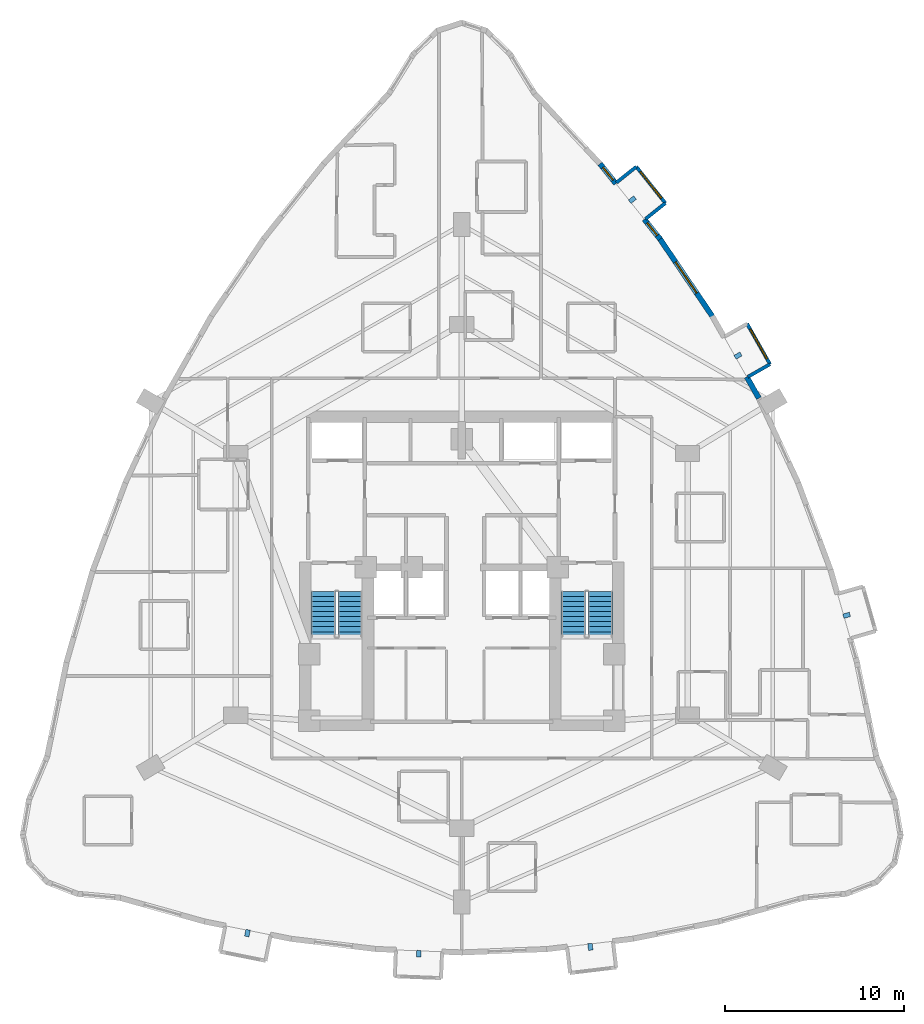
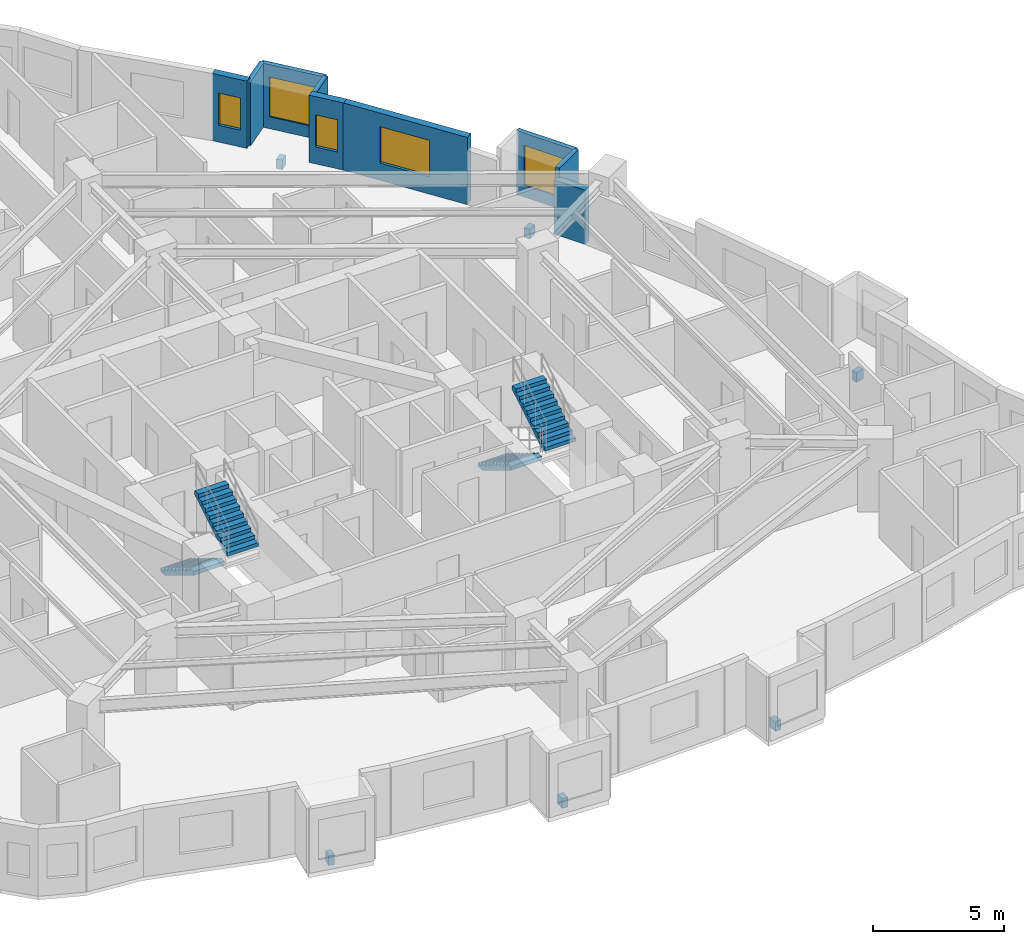
# One storey, part 12 of 13: 9 walls, 6 discrete accessories, 5 windows, 4 stair flights, 5 openings, 2 elements without a shape of their own.
"""IFC4 building model written with IfcOpenShell, lengths in metres."""

from ifc_helpers import new_model, si_unit, direction, frame, frame_2d, origin, origin_2d, place, context, subcontext, project, spatial, polyline, rectangle, outline, extrude, material, layer, layer_set, type_object, element, fill, aggregate, save


model = new_model("IFC4")

# Units and contexts
model_context = context("Model", 3, precision=1e-05, world=origin(), true_north=direction((0.0, 1.0)))
body_context = subcontext(model_context, "Body", "Model", "MODEL_VIEW")
ifc_project = project(units=[si_unit("LENGTHUNIT", "METRE"), si_unit("AREAUNIT", "SQUARE_METRE"), si_unit("VOLUMEUNIT", "CUBIC_METRE"), si_unit("PLANEANGLEUNIT", "RADIAN"), si_unit("MASSUNIT", "GRAM", prefix="KILO")], contexts=[model_context])

# Site, building, storey
site_placement = place(None, origin())
site = spatial("IfcSite", under=ifc_project, at=site_placement, CompositionType="ELEMENT")
building_placement = place(site_placement, origin())
building = spatial("IfcBuilding", under=site, at=building_placement, Name="Miruveldt Soraemaru", CompositionType="ELEMENT")
storey_placement = place(building_placement, frame((0.0, 0.0, 63.199951171875)))
storey = spatial("IfcBuildingStorey", under=building, at=storey_placement, Name="L17", CompositionType="ELEMENT", Elevation=63.199951171875)

# Wall
ifc_material_1 = material(Name="White powder-coated aluminium EN AW-6060 T6", Category="aluminium")
ifc_layer_1 = layer(ifc_material_1, 0.18994140625, Name="White powder-coated aluminium EN AW-6060 T6", Category="aluminium")
ifc_layer_set_1 = layer_set([ifc_layer_1], Name="White powder-coated aluminium EN AW-6060 T6")
wall_type_1 = type_object("IfcWallType", Name="WALL-BAY-ALU190", PredefinedType="SOLIDWALL", material=ifc_layer_set_1)
wall_1_placement = place(storey_placement, frame((59.959716796875, 54.678466796875, 0.0), z_axis=(0.0, 0.0, 1.0), x_axis=(0.869799191674, 0.493405883794, 0.0)))
element("IfcWall", 1, at=wall_1_placement, inside=storey, type_object=wall_type_1, Name="L17 Bay Window Side Cheek 5L", PredefinedType="SOLIDWALL", context=body_context, shape_type="SweptSolid", body=[
    extrude(rectangle(XDim=1.425048828125, YDim=0.18994140625, at=frame_2d((0.71240234375, 0.0))), origin(), (0.0, 0.0, 1.0), 2.97509765625),
])

# Wall, opening, window
wall_2_placement = place(storey_placement, frame((61.19921875, 55.381591796875, 0.0), z_axis=(0.0, 0.0, 1.0), x_axis=(-0.493325260824, 0.869844921255, 0.0)))
wall_2 = element("IfcWall", 2, at=wall_2_placement, inside=storey, type_object=wall_type_1, Name="L17 Bay Window Front Frame 5", PredefinedType="SOLIDWALL", context=body_context, shape_type="SweptSolid", body=[
    extrude(rectangle(XDim=2.60009765625, YDim=0.18994140625, at=frame_2d((1.300048828125, 0.0))), origin(), (0.0, 0.0, 1.0), 2.97509765625),
])
opening_1_placement = place(wall_2_placement, frame((0.35009765625, 0.0, 0.550048828125)))
opening_1 = element("IfcOpeningElement", 3, at=opening_1_placement, cuts=wall_2, Name="Opening WN-6", PredefinedType="OPENING", context=body_context, shape_type="SweptSolid", body=[
    extrude(rectangle(XDim=1.89990234375, YDim=1.85009765625, at=frame_2d((0.949951171875, 0.925048828125))), frame((0.0, 0.10498046875, 0.0), z_axis=(0.0, -1.0, 0.0), x_axis=(1.0, 0.0, 0.0)), (0.0, 0.0, 1.0), 0.2099609375),
])
ifc_material_2 = material(Name="Triple low-e insulated glazing", Category="glass")
window_type_1 = type_object("IfcWindowType", Name="WIN-BAYW-1900x1850", PartitioningType="SINGLE_PANEL", PredefinedType="WINDOW", material=ifc_material_2)
window_1_placement = place(opening_1_placement, origin())
window_1 = element("IfcWindow", 4, at=window_1_placement, inside=storey, type_object=window_type_1, Name="L17 Projecting Bay Window 5", OverallHeight=1.85009765625, OverallWidth=1.89990234375, PartitioningType="SINGLE_PANEL", PredefinedType="WINDOW", context=body_context, shape_type="SweptSolid", body=[
    extrude(rectangle(XDim=1.89990234375, YDim=1.85009765625, at=frame_2d((0.949951171875, 0.925048828125))), frame((0.0, 0.030029296875, 0.0), z_axis=(0.0, -1.0, 0.0), x_axis=(1.0, 0.0, 0.0)), (0.0, 0.0, 1.0), 0.06005859375),
])
fill(opening_1, window_1)

# Walls
for number, where, z_axis, x_axis, name in (
    (5, (54.2451171875, 63.4794921875, 0.0), (0.0, 0.0, 1.0), (0.781737193764, 0.623608017817, 0.0), "L17 Bay Window Side Cheek 6L"),
    (6, (53.737548828125, 66.400634765625, 0.0), (0.0, 0.0, 1.0), (-0.781737193764, -0.623608017817, 0.0), "L17 Bay Window Side Cheek 6R"),
):
    element("IfcWall", number, at=place(storey_placement, frame(where, z_axis=z_axis, x_axis=x_axis)), inside=storey, type_object=wall_type_1, Name=name, PredefinedType="SOLIDWALL", context=body_context, shape_type="SweptSolid", body=[
        extrude(rectangle(XDim=1.425048828125, YDim=0.18994140625, at=frame_2d((0.71240234375, 0.0))), origin(), (0.0, 0.0, 1.0), 2.97509765625),
    ])

# Wall, opening, window
wall_3_placement = place(storey_placement, frame((55.359130859375, 64.3681640625, 0.0), z_axis=(0.0, 0.0, 1.0), x_axis=(-0.623663926583, 0.781692590907, 0.0)))
wall_3 = element("IfcWall", 7, at=wall_3_placement, inside=storey, type_object=wall_type_1, Name="L17 Bay Window Front Frame 6", PredefinedType="SOLIDWALL", context=body_context, shape_type="SweptSolid", body=[
    extrude(rectangle(XDim=2.60009765625, YDim=0.18994140625, at=frame_2d((1.300048828125, 0.0))), origin(), (0.0, 0.0, 1.0), 2.97509765625),
])
opening_2_placement = place(wall_3_placement, frame((0.35009765625, 0.0, 0.550048828125)))
opening_2 = element("IfcOpeningElement", 8, at=opening_2_placement, cuts=wall_3, Name="Opening WN-6", PredefinedType="OPENING", context=body_context, shape_type="SweptSolid", body=[
    extrude(rectangle(XDim=1.89990234375, YDim=1.85009765625, at=frame_2d((0.949951171875, 0.925048828125))), frame((0.0, 0.10498046875, 0.0), z_axis=(0.0, -1.0, 0.0), x_axis=(1.0, 0.0, 0.0)), (0.0, 0.0, 1.0), 0.2099609375),
])
window_2_placement = place(opening_2_placement, origin())
window_2 = element("IfcWindow", 9, at=window_2_placement, inside=storey, type_object=window_type_1, Name="L17 Projecting Bay Window 6", OverallHeight=1.85009765625, OverallWidth=1.89990234375, PartitioningType="SINGLE_PANEL", PredefinedType="WINDOW", context=body_context, shape_type="SweptSolid", body=[
    extrude(rectangle(XDim=1.89990234375, YDim=1.85009765625, at=frame_2d((0.949951171875, 0.925048828125))), frame((0.0, 0.030029296875, 0.0), z_axis=(0.0, -1.0, 0.0), x_axis=(1.0, 0.0, 0.0)), (0.0, 0.0, 1.0), 0.06005859375),
])
fill(opening_2, window_2)

# Wall
ifc_material_3 = material(Name="Precast concrete C45/55 (45 MPa)", Category="concrete")
ifc_layer_2 = layer(ifc_material_3, 0.300048828125, Name="Precast concrete C45/55 (45 MPa)", Category="concrete")
ifc_layer_set_2 = layer_set([ifc_layer_2], Name="Precast concrete C45/55 (45 MPa)")
wall_type_2 = type_object("IfcWallType", Name="WALL-EXT-PC300", PredefinedType="SOLIDWALL", material=ifc_layer_set_2)
wall_4_placement = place(storey_placement, frame((60.57275390625, 53.486572265625, 0.0), z_axis=(0.0, 0.0, 1.0), x_axis=(-0.493390445805, 0.869807948911, 0.0)))
element("IfcWall", 10, at=wall_4_placement, inside=storey, type_object=wall_type_2, Name="L17 Precast Pier Wall 39A", PredefinedType="SOLIDWALL", context=body_context, shape_type="SweptSolid", body=[
    extrude(rectangle(XDim=1.369140625, YDim=0.300048828125, at=frame_2d((0.6845703125, 0.0))), origin(), (0.0, 0.0, 1.0), 2.512939453125),
])

# Wall, opening, window
wall_5_placement = place(storey_placement, frame((58.00537109375, 58.018310546875, 0.0), z_axis=(0.0, 0.0, 1.0), x_axis=(-0.560805458983, 0.827947605332, 0.0)))
wall_5 = element("IfcWall", 11, at=wall_5_placement, inside=storey, type_object=wall_type_2, Name="L17 Precast Concrete Facade Wall 40", PredefinedType="SOLIDWALL", context=body_context, shape_type="SweptSolid", body=[
    extrude(rectangle(XDim=5.3115234375, YDim=0.300048828125, at=frame_2d((2.65576171875, 0.0))), origin(), (0.0, 0.0, 1.0), 3.125),
])
opening_3_placement = place(wall_5_placement, frame((1.60595703125, 0.0, 0.800048828125)))
opening_3 = element("IfcOpeningElement", 12, at=opening_3_placement, cuts=wall_5, Name="Opening WN-1", PredefinedType="OPENING", context=body_context, shape_type="SweptSolid", body=[
    extrude(rectangle(XDim=2.10009765625, YDim=1.699951171875, at=frame_2d((1.050048828125, 0.85009765625))), frame((0.0, 0.16015625, 0.0), z_axis=(0.0, -1.0, 0.0), x_axis=(1.0, 0.0, 0.0)), (0.0, 0.0, 1.0), 0.320068359375),
])
window_type_2 = type_object("IfcWindowType", Name="WIN-PUNCH-2100x1700", PartitioningType="SINGLE_PANEL", PredefinedType="WINDOW", material=ifc_material_2)
window_3_placement = place(opening_3_placement, origin())
window_3 = element("IfcWindow", 13, at=window_3_placement, inside=storey, type_object=window_type_2, Name="L17 Punched Triple-Glazed Window 40.1", OverallHeight=1.699951171875, OverallWidth=2.10009765625, PartitioningType="SINGLE_PANEL", PredefinedType="WINDOW", context=body_context, shape_type="SweptSolid", body=[
    extrude(rectangle(XDim=2.10009765625, YDim=1.699951171875, at=frame_2d((1.050048828125, 0.85009765625))), frame((0.0, 0.030029296875, 0.0), z_axis=(0.0, -1.0, 0.0), x_axis=(1.0, 0.0, 0.0)), (0.0, 0.0, 1.0), 0.06005859375),
])
fill(opening_3, window_3)

wall_6_placement = place(storey_placement, frame((55.068115234375, 62.359619140625, 0.0), z_axis=(0.0, 0.0, 1.0), x_axis=(-0.623603224285, 0.78174101764, 0.0)))
wall_6 = element("IfcWall", 14, at=wall_6_placement, inside=storey, type_object=wall_type_2, Name="L17 Precast Pier Wall 41A", PredefinedType="SOLIDWALL", context=body_context, shape_type="SweptSolid", body=[
    extrude(rectangle(XDim=1.418701171875, YDim=0.300048828125, at=frame_2d((0.70947265625, 0.0))), origin(), (0.0, 0.0, 1.0), 3.125),
])
opening_4_placement = place(wall_6_placement, frame((0.260009765625, 0.0, 0.780029296875)))
opening_4 = element("IfcOpeningElement", 15, at=opening_4_placement, cuts=wall_6, Name="Opening WN-7", PredefinedType="OPENING", context=body_context, shape_type="SweptSolid", body=[
    extrude(rectangle(XDim=0.89990234375, YDim=1.5, at=frame_2d((0.449951171875, 0.75))), frame((0.0, 0.16015625, 0.0), z_axis=(0.0, -1.0, 0.0), x_axis=(1.0, 0.0, 0.0)), (0.0, 0.0, 1.0), 0.320068359375),
])
window_type_3 = type_object("IfcWindowType", Name="WIN-PUNCH-900x1500", PartitioningType="SINGLE_PANEL", PredefinedType="WINDOW", material=ifc_material_2)
window_4_placement = place(opening_4_placement, origin())
window_4 = element("IfcWindow", 16, at=window_4_placement, inside=storey, type_object=window_type_3, Name="L17 Punched Triple-Glazed Window 41A.1", OverallHeight=1.5, OverallWidth=0.89990234375, PartitioningType="SINGLE_PANEL", PredefinedType="WINDOW", context=body_context, shape_type="SweptSolid", body=[
    extrude(rectangle(XDim=0.89990234375, YDim=1.5, at=frame_2d((0.449951171875, 0.75))), frame((0.0, 0.030029296875, 0.0), z_axis=(0.0, -1.0, 0.0), x_axis=(1.0, 0.0, 0.0)), (0.0, 0.0, 1.0), 0.06005859375),
])
fill(opening_4, window_4)

wall_7_placement = place(storey_placement, frame((52.599365234375, 65.4541015625, 0.0), z_axis=(0.0, 0.0, 1.0), x_axis=(-0.623603224285, 0.78174101764, 0.0)))
wall_7 = element("IfcWall", 17, at=wall_7_placement, inside=storey, type_object=wall_type_2, Name="L17 Precast Pier Wall 41B", PredefinedType="SOLIDWALL", context=body_context, shape_type="SweptSolid", body=[
    extrude(rectangle(XDim=1.418701171875, YDim=0.300048828125, at=frame_2d((0.70947265625, 0.0))), origin(), (0.0, 0.0, 1.0), 3.125),
])
opening_5_placement = place(wall_7_placement, frame((0.260009765625, 0.0, 0.780029296875)))
opening_5 = element("IfcOpeningElement", 18, at=opening_5_placement, cuts=wall_7, Name="Opening WN-7", PredefinedType="OPENING", context=body_context, shape_type="SweptSolid", body=[
    extrude(rectangle(XDim=0.89990234375, YDim=1.5, at=frame_2d((0.449951171875, 0.75))), frame((0.0, 0.16015625, 0.0), z_axis=(0.0, -1.0, 0.0), x_axis=(1.0, 0.0, 0.0)), (0.0, 0.0, 1.0), 0.320068359375),
])
window_5_placement = place(opening_5_placement, origin())
window_5 = element("IfcWindow", 19, at=window_5_placement, inside=storey, type_object=window_type_3, Name="L17 Punched Triple-Glazed Window 41B.1", OverallHeight=1.5, OverallWidth=0.89990234375, PartitioningType="SINGLE_PANEL", PredefinedType="WINDOW", context=body_context, shape_type="SweptSolid", body=[
    extrude(rectangle(XDim=0.89990234375, YDim=1.5, at=frame_2d((0.449951171875, 0.75))), frame((0.0, 0.030029296875, 0.0), z_axis=(0.0, -1.0, 0.0), x_axis=(1.0, 0.0, 0.0)), (0.0, 0.0, 1.0), 0.06005859375),
])
fill(opening_5, window_5)

# Stair, stair flights
ifc_material_4 = material(Name="Concrete C40/50 (40 MPa)", Category="concrete")
stair_type = type_object("IfcStairType", Name="STAIR-DL-340", PredefinedType="HALF_TURN_STAIR", material=ifc_material_4)
stair_1_placement = place(storey_placement, origin())
stair_1 = element("IfcStair", 20, at=stair_1_placement, inside=storey, type_object=stair_type, Name="L17 Protected Exit Stair ST-1", PredefinedType="HALF_TURN_STAIR")
stair_flight_type = type_object("IfcStairFlightType", Name="SFL-DL-340", PredefinedType="STRAIGHT", material=ifc_material_4)
stair_flight_1_placement = place(storey_placement, frame((36.27490234375, 42.699951171875, 0.0), z_axis=(0.0, 0.0, 1.0), x_axis=(0.0, -1.0, 0.0)))
stair_flight_1 = element("IfcStairFlight", 21, at=stair_flight_1_placement, type_object=stair_flight_type, Name="ST-1 flight 1", NumberOfRisers=10, NumberOfTreads=9, PredefinedType="STRAIGHT", RiserHeight=0.17, TreadLength=0.28, context=body_context, shape_type="SweptSolid", body=[
    extrude(outline(polyline([(0.0, 0.0), (0.0, 0.169921875), (0.280029296875, 0.169921875), (0.280029296875, 0.340087890625), (0.56005859375, 0.340087890625), (0.56005859375, 0.510009765625), (0.840087890625, 0.510009765625), (0.840087890625, 0.679931640625), (1.1201171875, 0.679931640625), (1.1201171875, 0.85009765625), (1.39990234375, 0.85009765625), (1.39990234375, 1.02001953125), (1.679931640625, 1.02001953125), (1.679931640625, 1.18994140625), (1.9599609375, 1.18994140625), (1.9599609375, 1.360107421875), (2.239990234375, 1.360107421875), (2.239990234375, 1.530029296875), (2.52001953125, 1.530029296875), (2.52001953125, 1.699951171875), (2.52001953125, 1.343017578125), (0.30810546875, 0.0), (0.0, 0.0)])), frame((0.0, 0.675048828125, 0.0), z_axis=(0.0, -1.0, 0.0), x_axis=(1.0, 0.0, 0.0)), (0.0, 0.0, 1.0), 1.35009765625),
])
stair_flight_2_placement = place(storey_placement, frame((37.77490234375, 40.179931640625, 1.699951171875), z_axis=(0.0, 0.0, 1.0), x_axis=(0.0, 1.0, 0.0)))
stair_flight_2 = element("IfcStairFlight", 22, at=stair_flight_2_placement, type_object=stair_flight_type, Name="ST-1 flight 2", NumberOfRisers=10, NumberOfTreads=9, PredefinedType="STRAIGHT", RiserHeight=0.17, TreadLength=0.28, context=body_context, shape_type="SweptSolid", body=[
    extrude(outline(polyline([(0.0, 0.0), (0.0, 0.169921875), (0.280029296875, 0.169921875), (0.280029296875, 0.340087890625), (0.56005859375, 0.340087890625), (0.56005859375, 0.510009765625), (0.840087890625, 0.510009765625), (0.840087890625, 0.679931640625), (1.1201171875, 0.679931640625), (1.1201171875, 0.85009765625), (1.39990234375, 0.85009765625), (1.39990234375, 1.02001953125), (1.679931640625, 1.02001953125), (1.679931640625, 1.18994140625), (1.9599609375, 1.18994140625), (1.9599609375, 1.360107421875), (2.239990234375, 1.360107421875), (2.239990234375, 1.530029296875), (2.52001953125, 1.530029296875), (2.52001953125, 1.699951171875), (2.52001953125, 1.343017578125), (0.30810546875, 0.0), (0.0, 0.0)])), frame((0.0, 0.675048828125, 0.0), z_axis=(0.0, -1.0, 0.0), x_axis=(1.0, 0.0, 0.0)), (0.0, 0.0, 1.0), 1.35009765625),
])
aggregate(stair_1, [stair_flight_1, stair_flight_2])

stair_2_placement = place(storey_placement, origin())
stair_2 = element("IfcStair", 23, at=stair_2_placement, inside=storey, type_object=stair_type, Name="L17 Protected Exit Stair ST-2", PredefinedType="HALF_TURN_STAIR")
stair_flight_3_placement = place(storey_placement, frame((50.22509765625, 42.699951171875, 0.0), z_axis=(0.0, 0.0, 1.0), x_axis=(0.0, -1.0, 0.0)))
stair_flight_3 = element("IfcStairFlight", 24, at=stair_flight_3_placement, type_object=stair_flight_type, Name="ST-2 flight 1", NumberOfRisers=10, NumberOfTreads=9, PredefinedType="STRAIGHT", RiserHeight=0.17, TreadLength=0.28, context=body_context, shape_type="SweptSolid", body=[
    extrude(outline(polyline([(0.0, 0.0), (0.0, 0.169921875), (0.280029296875, 0.169921875), (0.280029296875, 0.340087890625), (0.56005859375, 0.340087890625), (0.56005859375, 0.510009765625), (0.840087890625, 0.510009765625), (0.840087890625, 0.679931640625), (1.1201171875, 0.679931640625), (1.1201171875, 0.85009765625), (1.39990234375, 0.85009765625), (1.39990234375, 1.02001953125), (1.679931640625, 1.02001953125), (1.679931640625, 1.18994140625), (1.9599609375, 1.18994140625), (1.9599609375, 1.360107421875), (2.239990234375, 1.360107421875), (2.239990234375, 1.530029296875), (2.52001953125, 1.530029296875), (2.52001953125, 1.699951171875), (2.52001953125, 1.343017578125), (0.30810546875, 0.0), (0.0, 0.0)])), frame((0.0, 0.675048828125, 0.0), z_axis=(0.0, -1.0, 0.0), x_axis=(1.0, 0.0, 0.0)), (0.0, 0.0, 1.0), 1.35009765625),
])
stair_flight_4_placement = place(storey_placement, frame((51.72509765625, 40.179931640625, 1.699951171875), z_axis=(0.0, 0.0, 1.0), x_axis=(0.0, 1.0, 0.0)))
stair_flight_4 = element("IfcStairFlight", 25, at=stair_flight_4_placement, type_object=stair_flight_type, Name="ST-2 flight 2", NumberOfRisers=10, NumberOfTreads=9, PredefinedType="STRAIGHT", RiserHeight=0.17, TreadLength=0.28, context=body_context, shape_type="SweptSolid", body=[
    extrude(outline(polyline([(0.0, 0.0), (0.0, 0.169921875), (0.280029296875, 0.169921875), (0.280029296875, 0.340087890625), (0.56005859375, 0.340087890625), (0.56005859375, 0.510009765625), (0.840087890625, 0.510009765625), (0.840087890625, 0.679931640625), (1.1201171875, 0.679931640625), (1.1201171875, 0.85009765625), (1.39990234375, 0.85009765625), (1.39990234375, 1.02001953125), (1.679931640625, 1.02001953125), (1.679931640625, 1.18994140625), (1.9599609375, 1.18994140625), (1.9599609375, 1.360107421875), (2.239990234375, 1.360107421875), (2.239990234375, 1.530029296875), (2.52001953125, 1.530029296875), (2.52001953125, 1.699951171875), (2.52001953125, 1.343017578125), (0.30810546875, 0.0), (0.0, 0.0)])), frame((0.0, 0.675048828125, 0.0), z_axis=(0.0, -1.0, 0.0), x_axis=(1.0, 0.0, 0.0)), (0.0, 0.0, 1.0), 1.35009765625),
])
aggregate(stair_2, [stair_flight_3, stair_flight_4])

# Discrete accessories
ifc_material_5 = material(Name="Steel SM355 (355 MPa)", Category="steel")
discrete_accessory_type = type_object("IfcDiscreteAccessoryType", Name="ACC-BAY-BRK", PredefinedType="BRACKET", material=ifc_material_5)
for number, where, z_axis, x_axis, name in (
    (26, (32.0458984375, 23.649169921875, -0.7197265625), (0.0, 0.0, 1.0), (-0.196117290802, -0.980580444557, 0.0), "L17 Bay Window Cantilever Bracket 1"),
    (27, (41.609130859375, 22.50146484375, -0.7197265625), (0.0, 0.0, 1.0), (-0.03997483895, -0.999200686675, 0.0), "L17 Bay Window Cantilever Bracket 2"),
    (28, (51.172607421875, 22.884033203125, -0.7197265625), (0.0, 0.0, 1.0), (0.119149147143, -0.992876367296, 0.0), "L17 Bay Window Cantilever Bracket 3"),
    (29, (65.4677734375, 41.376708984375, -0.7197265625), (0.0, 0.0, 1.0), (0.961449093633, 0.274982981932, 0.0), "L17 Bay Window Cantilever Bracket 4"),
    (30, (59.409912109375, 55.861083984375, -0.7197265625), (0.0, 0.0, 1.0), (0.869830943614, 0.493349905778, 0.0), "L17 Bay Window Cantilever Bracket 5"),
    (31, (53.516357421875, 64.561279296875, -0.7197265625), (0.0, 0.0, 1.0), (0.781727315753, 0.623620400408, 0.0), "L17 Bay Window Cantilever Bracket 6"),
):
    element("IfcDiscreteAccessory", number, at=place(storey_placement, frame(where, z_axis=z_axis, x_axis=x_axis)), inside=storey, type_object=discrete_accessory_type, Name=name, PredefinedType="BRACKET", context=body_context, shape_type="SweptSolid", body=[
        extrude(rectangle(XDim=0.3798828125, YDim=0.25, at=origin_2d()), origin(), (0.0, 0.0, 1.0), 0.449951171875),
    ])

save(model, "model.ifc")
